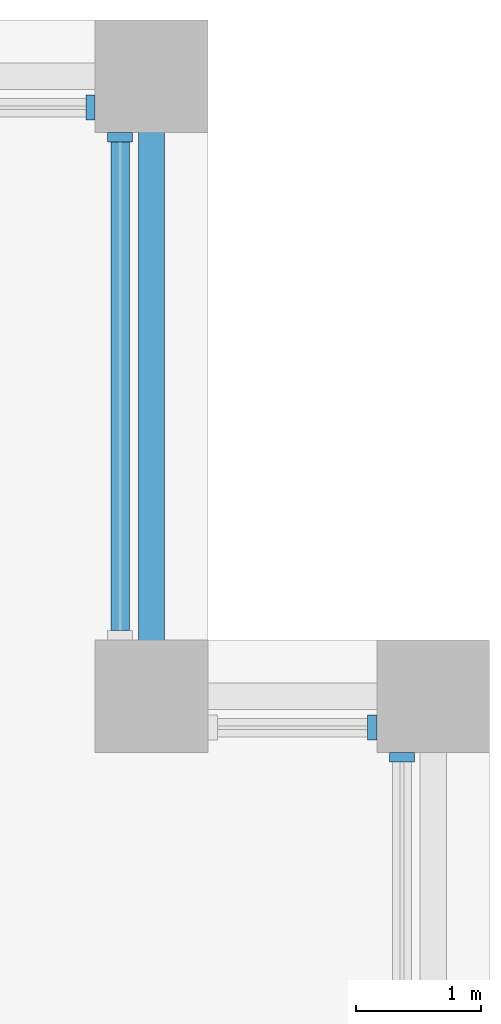
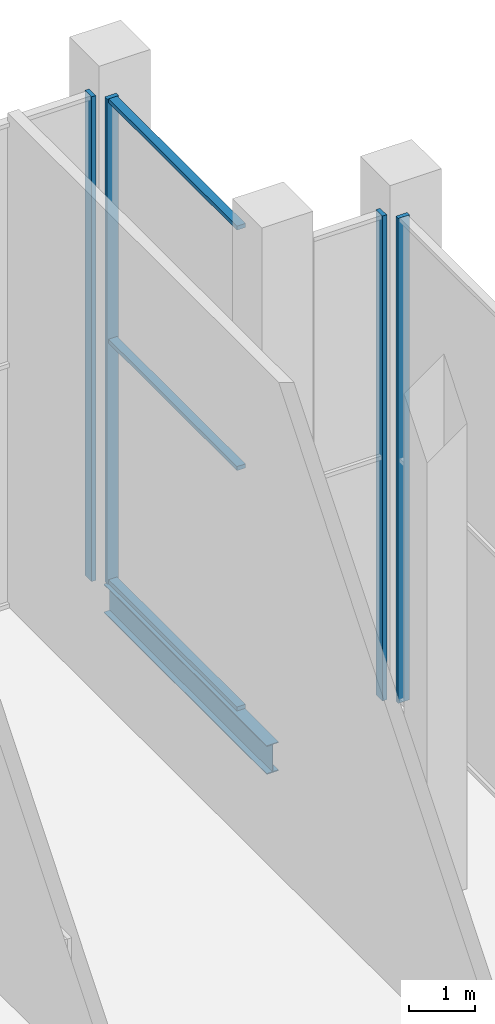
# One storey, part 7 of 16: 7 members, 1 beam, 4 elements without a shape of their own.
"""IFC4 building model written with IfcOpenShell, lengths in metres."""

from ifc_helpers import new_model, si_unit, direction, frame, origin, origin_2d, place, context, subcontext, project, spatial, rectangle, i_section, extrude, material, layer, layer_set, material_profile, profile_set, type_object, element, aggregate, save


model = new_model("IFC4")

# Units and contexts
model_context = context("Model", 3, precision=1e-05, world=origin(), true_north=direction((0.0, 1.0)))
body_context = subcontext(model_context, "Body", "Model", "MODEL_VIEW")
ifc_project = project(units=[si_unit("LENGTHUNIT", "METRE"), si_unit("AREAUNIT", "SQUARE_METRE"), si_unit("VOLUMEUNIT", "CUBIC_METRE"), si_unit("PLANEANGLEUNIT", "RADIAN"), si_unit("MASSUNIT", "GRAM", prefix="KILO")], contexts=[model_context])

# Site, building, storey
site_placement = place(None, origin())
site = spatial("IfcSite", under=ifc_project, at=site_placement, CompositionType="ELEMENT")
building_placement = place(site_placement, origin())
building = spatial("IfcBuilding", under=site, at=building_placement, Name="Corbelhall Arena Tower", CompositionType="ELEMENT")
storey_placement = place(building_placement, frame((0.0, 0.0, 366.0)))
storey = spatial("IfcBuildingStorey", under=building, at=storey_placement, Name="L80", CompositionType="ELEMENT", Elevation=366.0)

# Curtain wall, member
ifc_material_1 = material(Name="Aluminium black anodised", Category="aluminium")
ifc_layer = layer(ifc_material_1, 0.219970703125)
ifc_layer_set = layer_set([ifc_layer], Name="EV-CW2 Damper hall glazing")
curtain_wall_type = type_object("IfcCurtainWallType", Name="EV-CW2 Damper hall glazing", PredefinedType="NOTDEFINED", material=ifc_layer_set)
curtain_wall_1_placement = place(storey_placement, origin())
curtain_wall_1 = element("IfcCurtainWall", 1, at=curtain_wall_1_placement, inside=storey, type_object=curtain_wall_type, Name="Curtain wall CW2", PredefinedType="NOTDEFINED")
ifc_material_profile_1 = material_profile(ifc_material_1, rectangle(XDim=0.199951171875, YDim=0.074951171875, at=origin_2d()))
ifc_profile_set_1 = profile_set([ifc_material_profile_1], Name="Aluminium black anodised")
member_type_1 = type_object("IfcMemberType", Name="EV-CW2-MULLION", PredefinedType="MULLION", material=ifc_profile_set_1)
member_1_placement = place(storey_placement, frame((24.5, 22.46240234375, 0.0), z_axis=(0.0, 0.0, 1.0), x_axis=(-1.0, 0.0, 0.0)))
member_1 = element("IfcMember", 2, at=member_1_placement, type_object=member_type_1, Name="CW2 mullion 2", PredefinedType="MULLION", context=body_context, shape_type="SweptSolid", body=[
    extrude(rectangle(XDim=0.199951171875, YDim=0.074951171875, at=origin_2d()), origin(), (0.0, 0.0, 1.0), 8.99951171875),
])
aggregate(curtain_wall_1, [member_1])

curtain_wall_2_placement = place(storey_placement, origin())
curtain_wall_2 = element("IfcCurtainWall", 3, at=curtain_wall_2_placement, inside=storey, type_object=curtain_wall_type, Name="Curtain wall CW2B", PredefinedType="NOTDEFINED")
member_2_placement = place(storey_placement, frame((24.262451171875, 22.699951171875, 0.0), z_axis=(0.0, 0.0, 1.0), x_axis=(0.0, -1.0, 0.0)))
member_2 = element("IfcMember", 4, at=member_2_placement, type_object=member_type_1, Name="CW2B mullion 1", PredefinedType="MULLION", context=body_context, shape_type="SweptSolid", body=[
    extrude(rectangle(XDim=0.199951171875, YDim=0.074951171875, at=origin_2d()), origin(), (0.0, 0.0, 1.0), 8.99951171875),
])
aggregate(curtain_wall_2, [member_2])

curtain_wall_3_placement = place(storey_placement, origin())
curtain_wall_3 = element("IfcCurtainWall", 5, at=curtain_wall_3_placement, inside=storey, type_object=curtain_wall_type, Name="Curtain wall CW2", PredefinedType="NOTDEFINED")
member_3_placement = place(storey_placement, frame((22.25, 27.41259765625, 0.0), z_axis=(0.0, 0.0, 1.0), x_axis=(-1.0, 0.0, 0.0)))
member_3 = element("IfcMember", 6, at=member_3_placement, type_object=member_type_1, Name="CW2 mullion 2", PredefinedType="MULLION", context=body_context, shape_type="SweptSolid", body=[
    extrude(rectangle(XDim=0.199951171875, YDim=0.074951171875, at=origin_2d()), origin(), (0.0, 0.0, 1.0), 8.99951171875),
])

curtain_wall_4_placement = place(storey_placement, origin())
curtain_wall_4 = element("IfcCurtainWall", 7, at=curtain_wall_4_placement, inside=storey, type_object=curtain_wall_type, Name="Curtain wall CW2A", PredefinedType="NOTDEFINED")
member_4_placement = place(storey_placement, frame((22.012451171875, 27.64990234375, 0.0), z_axis=(0.0, 0.0, 1.0), x_axis=(0.0, -1.0, 0.0)))
member_4 = element("IfcMember", 8, at=member_4_placement, type_object=member_type_1, Name="CW2A mullion 1", PredefinedType="MULLION", context=body_context, shape_type="SweptSolid", body=[
    extrude(rectangle(XDim=0.199951171875, YDim=0.074951171875, at=origin_2d()), origin(), (0.0, 0.0, 1.0), 8.99951171875),
])
aggregate(curtain_wall_4, [member_4])

# Member
ifc_material_profile_2 = material_profile(ifc_material_1, rectangle(XDim=0.14990234375, YDim=0.074951171875, at=origin_2d()))
ifc_profile_set_2 = profile_set([ifc_material_profile_2], Name="Aluminium black anodised")
member_type_2 = type_object("IfcMemberType", Name="EV-CW2-TRANSOM", PredefinedType="USERDEFINED", material=ifc_profile_set_2)
member_5_placement = place(storey_placement, frame((22.25, 23.47509765625, 0.03759765625), z_axis=(0.0, 1.0, 0.0), x_axis=(-1.0, 0.0, 0.0)))
member_5 = element("IfcMember", 9, at=member_5_placement, type_object=member_type_2, Name="CW2 transom 1.1", ObjectType="transom", PredefinedType="USERDEFINED", context=body_context, shape_type="SweptSolid", body=[
    extrude(rectangle(XDim=0.14990234375, YDim=0.074951171875, at=origin_2d()), origin(), (0.0, 0.0, 1.0), 3.89990234375),
])

member_6_placement = place(storey_placement, frame((22.25, 23.47509765625, 4.499755859375), z_axis=(0.0, 1.0, 0.0), x_axis=(-1.0, 0.0, 0.0)))
member_6 = element("IfcMember", 10, at=member_6_placement, type_object=member_type_2, Name="CW2 transom 1.2", ObjectType="transom", PredefinedType="USERDEFINED", context=body_context, shape_type="SweptSolid", body=[
    extrude(rectangle(XDim=0.14990234375, YDim=0.074951171875, at=origin_2d()), origin(), (0.0, 0.0, 1.0), 3.89990234375),
])

member_7_placement = place(storey_placement, frame((22.25, 23.47509765625, 8.962158203125), z_axis=(0.0, 1.0, 0.0), x_axis=(-1.0, 0.0, 0.0)))
member_7 = element("IfcMember", 11, at=member_7_placement, type_object=member_type_2, Name="CW2 transom 1.3", ObjectType="transom", PredefinedType="USERDEFINED", context=body_context, shape_type="SweptSolid", body=[
    extrude(rectangle(XDim=0.14990234375, YDim=0.074951171875, at=origin_2d()), origin(), (0.0, 0.0, 1.0), 3.89990234375),
])

aggregate(curtain_wall_3, [member_3, member_5, member_6, member_7])

# Beam
ifc_material_2 = material(Name="Steel ASTM A992 Gr50", Category="steel")
ifc_material_profile_3 = material_profile(ifc_material_2, i_section(OverallWidth=0.2099609375, OverallDepth=0.535888671875, WebThickness=0.010986328125, FlangeThickness=0.017333984375, at=origin_2d()))
ifc_profile_set_3 = profile_set([ifc_material_profile_3], Name="Steel ASTM A992 Gr50")
beam_type = type_object("IfcBeamType", Name="ST-SPANDREL-W21x68", PredefinedType="SPANDREL", material=ifc_profile_set_3)
beam_placement = place(storey_placement, frame((22.5, 27.89990234375, -0.66845703125), z_axis=(0.0, -1.0, 0.0), x_axis=(1.0, 0.0, 0.0)))
element("IfcBeam", 12, at=beam_placement, inside=storey, type_object=beam_type, Name="Beam SP 10", PredefinedType="SPANDREL", context=body_context, shape_type="SweptSolid", body=[
    extrude(i_section(OverallWidth=0.2099609375, OverallDepth=0.535888671875, WebThickness=0.010986328125, FlangeThickness=0.017333984375, at=origin_2d()), origin(), (0.0, 0.0, 1.0), 4.949951171875),
])

save(model, "model.ifc")
